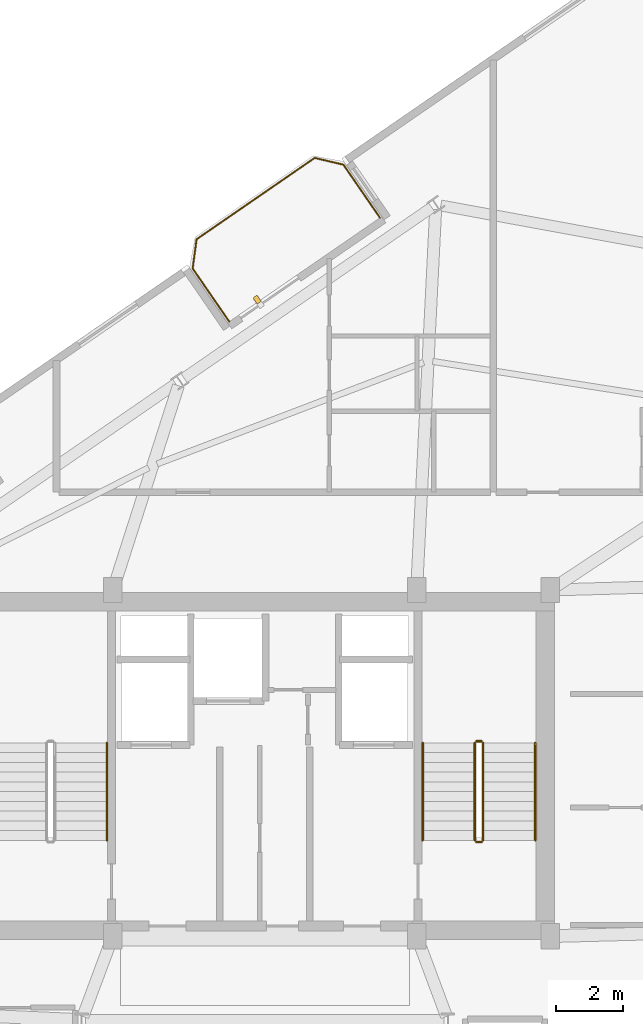
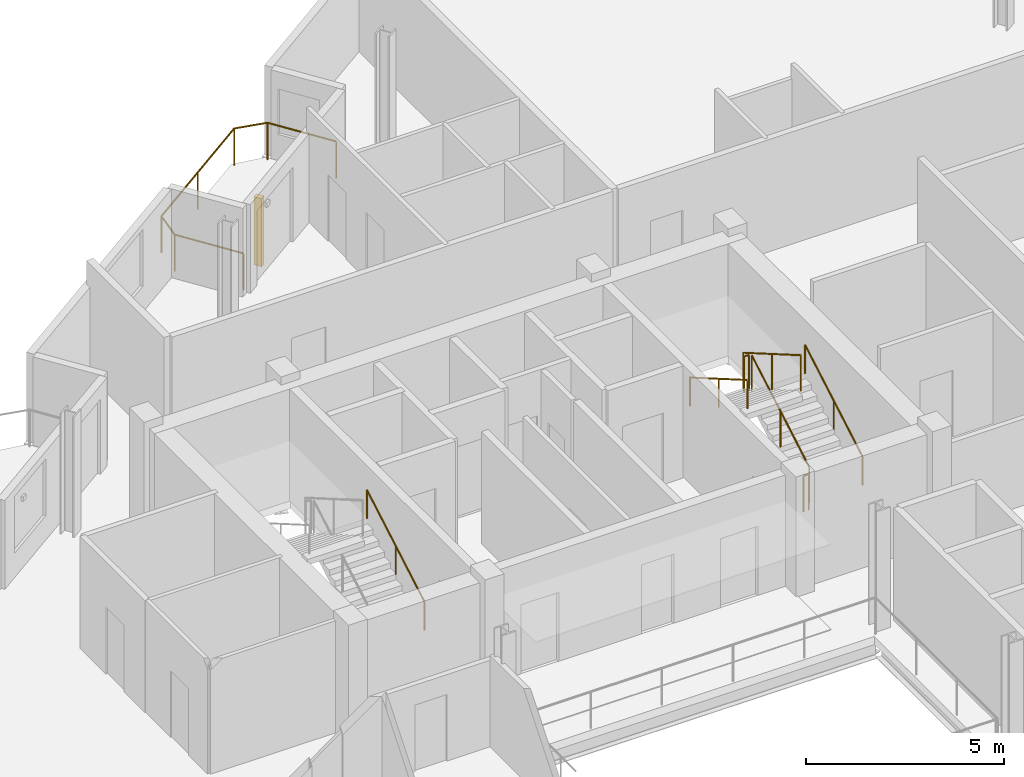
# One storey, part 21 of 21: 8 railings, 1 shading device.
"""IFC4 building model written with IfcOpenShell, lengths in metres."""

from ifc_helpers import new_model, si_unit, direction, frame, origin, origin_2d, place, context, subcontext, project, spatial, rectangle, circle, extrude, source, transform, mapped, material, type_object, element, save


model = new_model("IFC4")

# Units and contexts
model_context = context("Model", 3, precision=1e-05, world=origin(), true_north=direction((0.0, 1.0)))
body_context = subcontext(model_context, "Body", "Model", "MODEL_VIEW")
ifc_project = project(units=[si_unit("LENGTHUNIT", "METRE"), si_unit("AREAUNIT", "SQUARE_METRE"), si_unit("VOLUMEUNIT", "CUBIC_METRE"), si_unit("PLANEANGLEUNIT", "RADIAN"), si_unit("MASSUNIT", "GRAM", prefix="KILO")], contexts=[model_context])

# Site, building, storey
site_placement = place(None, origin())
site = spatial("IfcSite", under=ifc_project, at=site_placement, CompositionType="ELEMENT")
building_placement = place(site_placement, origin())
building = spatial("IfcBuilding", under=site, at=building_placement, Name="Varnelok Gate Tower", CompositionType="ELEMENT")
storey_placement = place(building_placement, frame((0.0, 0.0, 269.300048828125)))
storey = spatial("IfcBuildingStorey", under=building, at=storey_placement, Name="L69", CompositionType="ELEMENT", Elevation=269.300048828125)

# Railings
ifc_material_1 = material(Name="Low-E Laminated Double Glazing IGU", Category="glass")
railing_type_1 = type_object("IfcRailingType", Name="RL-BALC-1150", PredefinedType="BALUSTRADE", material=ifc_material_1)
railing_1_placement = place(storey_placement, frame((38.143310546875, 47.036376953125, 0.0)))
element("IfcRailing", 1, at=railing_1_placement, inside=storey, type_object=railing_type_1, Name="L69 North Terrace Balustrade 6", PredefinedType="BALUSTRADE", context=body_context, shape_type="SweptSolid", body=[
    extrude(circle(Radius=0.02392578125, at=origin_2d()), frame((0.0, 0.0, 1.1259765625), z_axis=(-0.567284155424, 0.82352212296, 0.0), x_axis=(-0.82352212296, -0.567284155424, 0.0)), (0.0, 0.0, 1.0), 1.919921875),
    extrude(circle(Radius=0.02392578125, at=origin_2d()), frame((-1.089111328125, 1.5810546875, 1.1259765625), z_axis=(0.133238627421, 0.991083986433, 0.0), x_axis=(-0.991083986433, 0.133238627421, 0.0)), (0.0, 0.0, 1.0), 0.877685546875),
    extrude(circle(Radius=0.02392578125, at=origin_2d()), frame((-0.97216796875, 2.450927734375, 1.1259765625), z_axis=(0.823530765458, 0.56727160897, 0.0), x_axis=(-0.56727160897, 0.823530765458, 0.0)), (0.0, 0.0, 1.0), 4.26708984375),
    extrude(circle(Radius=0.02392578125, at=origin_2d()), frame((2.5419921875, 4.87158203125, 1.1259765625), z_axis=(0.973573806257, -0.228372598553, 0.0), x_axis=(0.228372598553, 0.973573806257, 0.0)), (0.0, 0.0, 1.0), 0.877685546875),
    extrude(circle(Radius=0.02392578125, at=origin_2d()), frame((3.396484375, 4.671142578125, 1.1259765625), z_axis=(0.567224752248, -0.823563039747, 0.0), x_axis=(0.823563039747, 0.567224752248, 0.0)), (0.0, 0.0, 1.0), 1.920166015625),
    extrude(circle(Radius=0.02099609375, at=origin_2d()), origin(), (0.0, 0.0, 1.0), 1.101806640625),
    extrude(circle(Radius=0.02099609375, at=origin_2d()), frame((-1.089111328125, 1.5810546875, 0.0)), (0.0, 0.0, 1.0), 1.101806640625),
    extrude(circle(Radius=0.02099609375, at=origin_2d()), frame((-0.97216796875, 2.450927734375, 0.0)), (0.0, 0.0, 1.0), 1.101806640625),
    extrude(circle(Radius=0.02099609375, at=origin_2d()), frame((0.784912109375, 3.6611328125, 0.0)), (0.0, 0.0, 1.0), 1.101806640625),
    extrude(circle(Radius=0.02099609375, at=origin_2d()), frame((2.5419921875, 4.87158203125, 0.0)), (0.0, 0.0, 1.0), 1.101806640625),
    extrude(circle(Radius=0.02099609375, at=origin_2d()), frame((3.396484375, 4.671142578125, 0.0)), (0.0, 0.0, 1.0), 1.101806640625),
    extrude(circle(Radius=0.02099609375, at=origin_2d()), frame((4.485595703125, 3.08984375, 0.0)), (0.0, 0.0, 1.0), 1.101806640625),
])
ifc_material_2 = material(Name="Brushed Stainless Steel AISI 316", Category="steel")
railing_type_2 = type_object("IfcRailingType", Name="RL-HANDRAIL-900", PredefinedType="HANDRAIL", material=ifc_material_2)
for number, where, name in (
    (2, (34.5, 31.60009765625, 0.168212890625), "L69 ST-1 stair handrail 1"),
    (3, (47.25, 31.60009765625, 0.168212890625), "L69 ST-2 stair handrail 1"),
):
    element("IfcRailing", number, at=place(storey_placement, frame(where)), inside=storey, type_object=railing_type_2, Name=name, PredefinedType="HANDRAIL", context=body_context, shape_type="SweptSolid", body=[
        extrude(circle(Radius=0.02392578125, at=origin_2d()), frame((0.0, 0.0, 0.8759765625), z_axis=(0.0, 0.86507038078, 0.501650512107), x_axis=(-1.0, 0.0, 0.0)), (0.0, 0.0, 1.0), 3.352294921875),
        extrude(circle(Radius=0.02099609375, at=origin_2d()), origin(), (0.0, 0.0, 1.0), 0.851806640625),
        extrude(circle(Radius=0.02099609375, at=origin_2d()), frame((0.0, 1.449951171875, 0.8408203125)), (0.0, 0.0, 1.0), 0.851806640625),
        extrude(circle(Radius=0.02099609375, at=origin_2d()), frame((0.0, 2.89990234375, 1.681640625)), (0.0, 0.0, 1.0), 0.851806640625),
    ])
railing_2_placement = place(storey_placement, frame((43.89990234375, 34.5, 2.01806640625)))
element("IfcRailing", 4, at=railing_2_placement, inside=storey, type_object=railing_type_2, Name="L69 ST-2 stair handrail 2", PredefinedType="HANDRAIL", context=body_context, shape_type="SweptSolid", body=[
    extrude(circle(Radius=0.02392578125, at=origin_2d()), frame((0.0, 0.0, 0.8759765625), z_axis=(0.0, -0.865038774852, 0.501705010941), x_axis=(1.0, 0.0, 0.0)), (0.0, 0.0, 1.0), 3.352294921875),
    extrude(circle(Radius=0.02099609375, at=origin_2d()), origin(), (0.0, 0.0, 1.0), 0.851806640625),
    extrude(circle(Radius=0.02099609375, at=origin_2d()), frame((0.0, -1.449951171875, 0.8408203125)), (0.0, 0.0, 1.0), 0.851806640625),
    extrude(circle(Radius=0.02099609375, at=origin_2d()), frame((0.0, -2.89990234375, 1.681884765625)), (0.0, 0.0, 1.0), 0.851806640625),
])
ifc_material_3 = material(Name="Galvanized Steel Grade S350GD", Category="steel")
railing_type_3 = type_object("IfcRailingType", Name="RL-STAIR-GUARD1120", PredefinedType="GUARDRAIL", material=ifc_material_3)
railing_3_placement = place(storey_placement, frame((45.699951171875, 31.60009765625, 0.168212890625)))
element("IfcRailing", 5, at=railing_3_placement, inside=storey, type_object=railing_type_3, Name="L69 ST-2 stair guard 1", PredefinedType="GUARDRAIL", context=body_context, shape_type="SweptSolid", body=[
    extrude(circle(Radius=0.02392578125, at=origin_2d()), frame((0.0, 0.0, 1.09619140625), z_axis=(0.0, 0.86507038078, 0.501650512107), x_axis=(-1.0, 0.0, 0.0)), (0.0, 0.0, 1.0), 3.352294921875),
    extrude(circle(Radius=0.02099609375, at=origin_2d()), origin(), (0.0, 0.0, 1.0), 1.072021484375),
    extrude(circle(Radius=0.02099609375, at=origin_2d()), frame((0.0, 1.449951171875, 0.8408203125)), (0.0, 0.0, 1.0), 1.072021484375),
    extrude(circle(Radius=0.02099609375, at=origin_2d()), frame((0.0, 2.89990234375, 1.681640625)), (0.0, 0.0, 1.0), 1.072021484375),
])
railing_4_placement = place(storey_placement, frame((45.64990234375, 34.550048828125, 1.849853515625)))
element("IfcRailing", 6, at=railing_4_placement, inside=storey, type_object=railing_type_3, Name="L69 ST-2 stair guard 2", PredefinedType="GUARDRAIL", context=body_context, shape_type="SweptSolid", body=[
    extrude(circle(Radius=0.02392578125, at=origin_2d()), frame((0.0, 0.0, 1.09619140625), z_axis=(-1.0, 0.0, 0.0), x_axis=(0.0, -1.0, 0.0)), (0.0, 0.0, 1.0), 0.14990234375),
    extrude(circle(Radius=0.02099609375, at=origin_2d()), origin(), (0.0, 0.0, 1.0), 1.072021484375),
    extrude(circle(Radius=0.02099609375, at=origin_2d()), frame((-0.14990234375, 0.0, 0.0)), (0.0, 0.0, 1.0), 1.072021484375),
])
railing_5_placement = place(storey_placement, frame((45.449951171875, 34.5, 2.01806640625)))
element("IfcRailing", 7, at=railing_5_placement, inside=storey, type_object=railing_type_3, Name="L69 ST-2 stair guard 3", PredefinedType="GUARDRAIL", context=body_context, shape_type="SweptSolid", body=[
    extrude(circle(Radius=0.02392578125, at=origin_2d()), frame((0.0, 0.0, 1.09619140625), z_axis=(0.0, -0.865038774852, 0.501705010941), x_axis=(1.0, 0.0, 0.0)), (0.0, 0.0, 1.0), 3.352294921875),
    extrude(circle(Radius=0.02099609375, at=origin_2d()), origin(), (0.0, 0.0, 1.0), 1.072021484375),
    extrude(circle(Radius=0.02099609375, at=origin_2d()), frame((0.0, -1.449951171875, 0.8408203125)), (0.0, 0.0, 1.0), 1.072021484375),
    extrude(circle(Radius=0.02099609375, at=origin_2d()), frame((0.0, -2.89990234375, 1.681884765625)), (0.0, 0.0, 1.0), 1.072021484375),
])
railing_6_placement = place(storey_placement, frame((45.64990234375, 31.550048828125, 0.0)))
element("IfcRailing", 8, at=railing_6_placement, inside=storey, type_object=railing_type_3, Name="L69 ST-2 stair guard 4", PredefinedType="GUARDRAIL", context=body_context, shape_type="SweptSolid", body=[
    extrude(circle(Radius=0.02392578125, at=origin_2d()), frame((0.0, 0.0, 1.09619140625), z_axis=(-1.0, 0.0, 0.0), x_axis=(0.0, -1.0, 0.0)), (0.0, 0.0, 1.0), 0.14990234375),
    extrude(circle(Radius=0.02099609375, at=origin_2d()), origin(), (0.0, 0.0, 1.0), 1.072021484375),
    extrude(circle(Radius=0.02099609375, at=origin_2d()), frame((-0.14990234375, 0.0, 0.0)), (0.0, 0.0, 1.0), 1.072021484375),
])

# Shading device
ifc_material_4 = material(Name="Glazed Architectural Terracotta Ceramic", Category="masonry")
shading_device_type = type_object("IfcShadingDeviceType", Name="SHD-TERRA-FIN", PredefinedType="USERDEFINED", material=ifc_material_4)
shared_shape = source(origin(), body_context, "Body", "SweptSolid", [
    extrude(rectangle(XDim=0.139892578125, YDim=0.219970703125, at=origin_2d()), origin(), (0.0, 0.0, 1.0), 2.10009765625),
])
shading_device_placement = place(storey_placement, frame((38.970947265625, 47.69140625, 0.099853515625), z_axis=(0.0, 0.0, 1.0), x_axis=(0.823532597628, 0.567268949127, 0.0)))
element("IfcShadingDevice", 9, at=shading_device_placement, inside=storey, type_object=shading_device_type, Name="L69 Terracotta Ceramic Baguette Sunscreen 6.1", ObjectType="BAGUETTE", PredefinedType="USERDEFINED", context=body_context, shape_type="MappedRepresentation", body=[
    mapped(shared_shape, transform((0.0, 0.0, 0.0), scale=1.0)),
])

save(model, "model.ifc")
